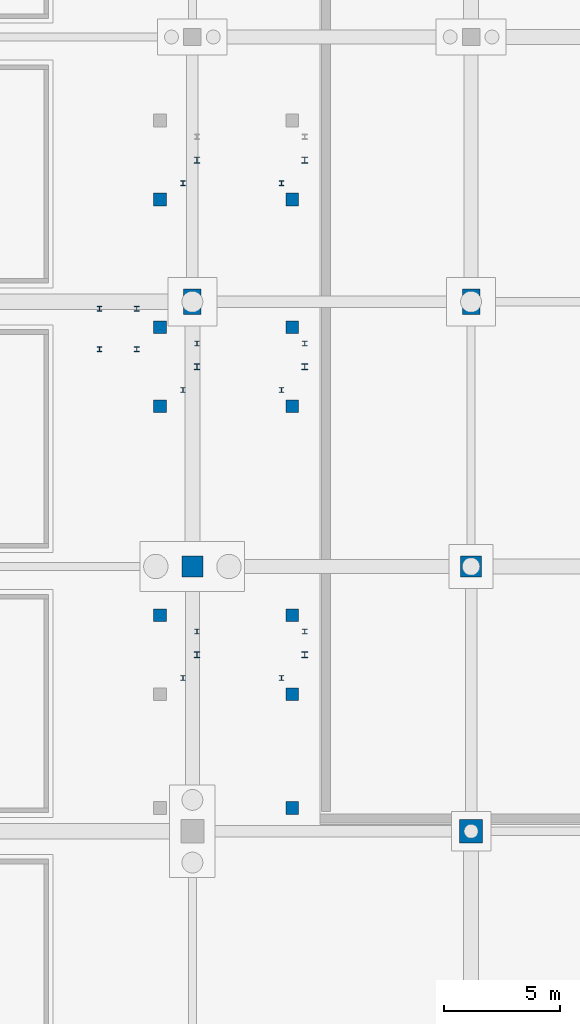
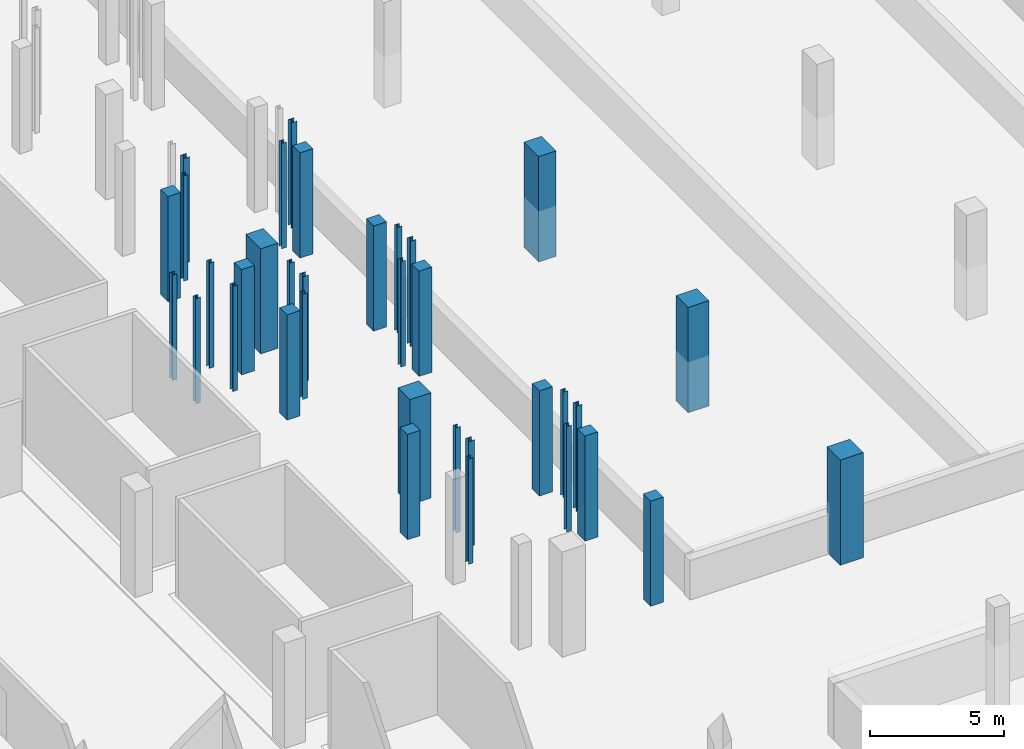
# One storey, part 15 of 34: 35 columns.
"""IFC4 building model written with IfcOpenShell, lengths in metres."""

from ifc_helpers import new_model, si_unit, direction, frame, origin, origin_2d, place, context, subcontext, project, spatial, rectangle, i_section, extrude, material, material_profile, profile_set, type_object, element, save


model = new_model("IFC4")

# Units and contexts
model_context = context("Model", 3, precision=1e-05, world=origin(), true_north=direction((0.0, 1.0)))
body_context = subcontext(model_context, "Body", "Model", "MODEL_VIEW")
ifc_project = project(units=[si_unit("LENGTHUNIT", "METRE"), si_unit("AREAUNIT", "SQUARE_METRE"), si_unit("VOLUMEUNIT", "CUBIC_METRE"), si_unit("PLANEANGLEUNIT", "RADIAN"), si_unit("MASSUNIT", "GRAM", prefix="KILO"), si_unit("POWERUNIT", "WATT"), si_unit("THERMODYNAMICTEMPERATUREUNIT", "KELVIN")], contexts=[model_context])

# Site, building, storey
site_placement = place(None, origin())
site = spatial("IfcSite", under=ifc_project, at=site_placement, CompositionType="ELEMENT")
building_placement = place(site_placement, origin())
building = spatial("IfcBuilding", under=site, at=building_placement, Name="Kelmbourne Parkland Aquatics Centre", CompositionType="ELEMENT")
storey_placement = place(building_placement, frame((0.0, 0.0, -4.800048828125)))
storey = spatial("IfcBuildingStorey", under=building, at=storey_placement, Name="B1", CompositionType="ELEMENT", Elevation=-4.800048828125)

# Columns
ifc_material_1 = material(Name="Concrete C40/50", Category="concrete")
ifc_material_profile_1 = material_profile(ifc_material_1, rectangle(XDim=1.0, YDim=1.0, at=origin_2d()), Name="RC 1000x1000")
ifc_profile_set_1 = profile_set([ifc_material_profile_1], Name="Concrete C40/50")
column_type_1 = type_object("IfcColumnType", Name="COL-C01", PredefinedType="COLUMN", material=ifc_profile_set_1)
column_placement = place(storey_placement, frame((152.0, 35.0, 0.0), z_axis=(0.0, 0.0, 1.0), x_axis=(1.0, 0.0, 0.0)))
element("IfcColumn", 1, at=column_placement, inside=storey, type_object=column_type_1, Name="Structural column R-05 (B1)", PredefinedType="COLUMN", context=body_context, shape_type="SweptSolid", body=[
    extrude(rectangle(XDim=1.0, YDim=1.0, at=origin_2d()), origin(), (0.0, 0.0, 1.0), 4.800048828125),
])
ifc_material_profile_2 = material_profile(ifc_material_1, rectangle(XDim=0.89990234375, YDim=0.89990234375, at=origin_2d()), Name="RC 900x900")
ifc_profile_set_2 = profile_set([ifc_material_profile_2], Name="Concrete C40/50")
column_type_2 = type_object("IfcColumnType", Name="COL-C02", PredefinedType="COLUMN", material=ifc_profile_set_2)
for number, where, z_axis, x_axis, name in (
    (2, (140.0, 46.39990234375, 0.0), (0.0, 0.0, 1.0), (1.0, 0.0, 0.0), "Structural column Q-06 (B1)"),
    (3, (152.0, 46.39990234375, 0.0), (0.0, 0.0, 1.0), (1.0, 0.0, 0.0), "Structural column R-06 (B1)"),
):
    element("IfcColumn", number, at=place(storey_placement, frame(where, z_axis=z_axis, x_axis=x_axis)), inside=storey, type_object=column_type_2, Name=name, PredefinedType="COLUMN", context=body_context, shape_type="SweptSolid", body=[
        extrude(rectangle(XDim=0.89990234375, YDim=0.89990234375, at=origin_2d()), origin(), (0.0, 0.0, 1.0), 4.800048828125),
    ])
ifc_material_profile_3 = material_profile(ifc_material_1, rectangle(XDim=0.75, YDim=1.10009765625, at=origin_2d()), Name="RC 750x1100")
ifc_profile_set_3 = profile_set([ifc_material_profile_3], Name="Concrete C40/50")
column_type_3 = type_object("IfcColumnType", Name="COL-C03", PredefinedType="COLUMN", material=ifc_profile_set_3)
for number, where, z_axis, x_axis, name in (
    (4, (140.0, 57.800048828125, 0.0), (0.0, 0.0, 1.0), (1.0, 0.0, 0.0), "Structural column Q-08 (B1)"),
    (5, (152.0, 57.800048828125, 0.0), (0.0, 0.0, 1.0), (1.0, 0.0, 0.0), "Structural column R-08 (B1)"),
):
    element("IfcColumn", number, at=place(storey_placement, frame(where, z_axis=z_axis, x_axis=x_axis)), inside=storey, type_object=column_type_3, Name=name, PredefinedType="COLUMN", context=body_context, shape_type="SweptSolid", body=[
        extrude(rectangle(XDim=0.75, YDim=1.10009765625, at=origin_2d()), origin(), (0.0, 0.0, 1.0), 4.800048828125),
    ])
ifc_material_profile_4 = material_profile(ifc_material_1, rectangle(XDim=0.550048828125, YDim=0.550048828125, at=origin_2d()), Name="RC 550x550")
ifc_profile_set_4 = profile_set([ifc_material_profile_4], Name="Concrete C40/50")
column_type_4 = type_object("IfcColumnType", Name="COL-C07", PredefinedType="COLUMN", material=ifc_profile_set_4)
for number, where, z_axis, x_axis, name in (
    (6, (144.300048828125, 36.0, 0.0), (0.0, 0.0, 1.0), (1.0, 0.0, 0.0), "Bowl FRT basement pier 1"),
    (7, (144.300048828125, 40.89990234375, 0.0), (0.0, 0.0, 1.0), (1.0, 0.0, 0.0), "Bowl FRT basement pier 2"),
    (8, (144.300048828125, 44.300048828125, 0.0), (0.0, 0.0, 1.0), (1.0, 0.0, 0.0), "Bowl FRT basement pier 3"),
    (9, (138.60009765625, 44.300048828125, 0.0), (0.0, 0.0, 1.0), (1.0, 0.0, 0.0), "Bowl RER basement pier 3"),
    (10, (144.300048828125, 53.300048828125, 0.0), (0.0, 0.0, 1.0), (1.0, 0.0, 0.0), "Bowl FRT basement pier 4"),
    (11, (138.60009765625, 53.300048828125, 0.0), (0.0, 0.0, 1.0), (1.0, 0.0, 0.0), "Bowl RER basement pier 4"),
    (12, (144.300048828125, 56.699951171875, 0.0), (0.0, 0.0, 1.0), (1.0, 0.0, 0.0), "Bowl FRT basement pier 5"),
    (13, (138.60009765625, 56.699951171875, 0.0), (0.0, 0.0, 1.0), (1.0, 0.0, 0.0), "Bowl RER basement pier 5"),
    (14, (144.300048828125, 62.199951171875, 0.0), (0.0, 0.0, 1.0), (1.0, 0.0, 0.0), "Bowl FRT basement pier 6"),
    (15, (138.60009765625, 62.199951171875, 0.0), (0.0, 0.0, 1.0), (1.0, 0.0, 0.0), "Bowl RER basement pier 6"),
):
    element("IfcColumn", number, at=place(storey_placement, frame(where, z_axis=z_axis, x_axis=x_axis)), inside=storey, type_object=column_type_4, Name=name, PredefinedType="COLUMN", context=body_context, shape_type="SweptSolid", body=[
        extrude(rectangle(XDim=0.550048828125, YDim=0.550048828125, at=origin_2d()), origin(), (0.0, 0.0, 1.0), 4.800048828125),
    ])
ifc_material_2 = material(Name="Structural steel AS/NZS 3679.1 Grade 300", Category="steel")
ifc_material_profile_5 = material_profile(ifc_material_2, i_section(OverallWidth=0.25390625, OverallDepth=0.25390625, WebThickness=0.008544921875, FlangeThickness=0.01416015625, at=origin_2d()), Name="250UC72.9")
ifc_profile_set_5 = profile_set([ifc_material_profile_5], Name="Structural steel AS/NZS 3679.1 Grade 300")
column_type_5 = type_object("IfcColumnType", Name="COL-C18", PredefinedType="COLUMN", material=ifc_profile_set_5)
for number, where, z_axis, x_axis, name in (
    (16, (144.840087890625, 42.60009765625, 0.0), (0.0, 0.0, 1.0), (1.0, 0.0, 0.0), "VM01 BOT1 B1 pier"),
    (17, (140.199951171875, 42.60009765625, 0.0), (0.0, 0.0, 1.0), (1.0, 0.0, 0.0), "VM01 TOP1 B1 pier"),
    (18, (144.840087890625, 55.0, 0.0), (0.0, 0.0, 1.0), (1.0, 0.0, 0.0), "VM02 BOT1 B1 pier"),
    (19, (140.199951171875, 55.0, 0.0), (0.0, 0.0, 1.0), (1.0, 0.0, 0.0), "VM02 TOP1 B1 pier"),
    (20, (144.840087890625, 63.89990234375, 0.0), (0.0, 0.0, 1.0), (1.0, 0.0, 0.0), "VM03 BOT1 B1 pier"),
    (21, (140.199951171875, 63.89990234375, 0.0), (0.0, 0.0, 1.0), (1.0, 0.0, 0.0), "VM03 TOP1 B1 pier"),
):
    element("IfcColumn", number, at=place(storey_placement, frame(where, z_axis=z_axis, x_axis=x_axis)), inside=storey, type_object=column_type_5, Name=name, PredefinedType="COLUMN", context=body_context, shape_type="SweptSolid", body=[
        extrude(i_section(OverallWidth=0.25390625, OverallDepth=0.25390625, WebThickness=0.008544921875, FlangeThickness=0.01416015625, at=origin_2d()), origin(), (0.0, 0.0, 1.0), 4.800048828125),
    ])
ifc_material_profile_6 = material_profile(ifc_material_2, i_section(OverallWidth=0.205078125, OverallDepth=0.2099609375, WebThickness=0.00927734375, FlangeThickness=0.01416015625, at=origin_2d()), Name="200UC59.5")
ifc_profile_set_6 = profile_set([ifc_material_profile_6], Name="Structural steel AS/NZS 3679.1 Grade 300")
column_type_6 = type_object("IfcColumnType", Name="COL-C19", PredefinedType="COLUMN", material=ifc_profile_set_6)
for number, where, z_axis, x_axis, name in (
    (22, (136.0, 55.75, 0.0), (0.0, 0.0, 1.0), (1.0, 0.0, 0.0), "FS02 B1 post 1"),
    (23, (137.60009765625, 55.75, 0.0), (0.0, 0.0, 1.0), (1.0, 0.0, 0.0), "FS02 B1 post 2"),
    (24, (136.0, 57.5, 0.0), (0.0, 0.0, 1.0), (1.0, 0.0, 0.0), "FS02 B1 post 3"),
    (25, (137.60009765625, 57.5, 0.0), (0.0, 0.0, 1.0), (1.0, 0.0, 0.0), "FS02 B1 post 4"),
    (26, (144.840087890625, 43.60009765625, 0.0), (0.0, 0.0, 1.0), (1.0, 0.0, 0.0), "VM01 BOT2 B1 pier"),
    (27, (143.840087890625, 41.60009765625, 0.0), (0.0, 0.0, 1.0), (1.0, 0.0, 0.0), "VM01 BOT3 B1 pier"),
    (28, (140.199951171875, 43.60009765625, 0.0), (0.0, 0.0, 1.0), (1.0, 0.0, 0.0), "VM01 TOP2 B1 pier"),
    (29, (139.60009765625, 41.60009765625, 0.0), (0.0, 0.0, 1.0), (1.0, 0.0, 0.0), "VM01 TOP3 B1 pier"),
    (30, (144.840087890625, 56.0, 0.0), (0.0, 0.0, 1.0), (1.0, 0.0, 0.0), "VM02 BOT2 B1 pier"),
    (31, (143.840087890625, 54.0, 0.0), (0.0, 0.0, 1.0), (1.0, 0.0, 0.0), "VM02 BOT3 B1 pier"),
    (32, (140.199951171875, 56.0, 0.0), (0.0, 0.0, 1.0), (1.0, 0.0, 0.0), "VM02 TOP2 B1 pier"),
    (33, (139.60009765625, 54.0, 0.0), (0.0, 0.0, 1.0), (1.0, 0.0, 0.0), "VM02 TOP3 B1 pier"),
    (34, (143.840087890625, 62.89990234375, 0.0), (0.0, 0.0, 1.0), (1.0, 0.0, 0.0), "VM03 BOT3 B1 pier"),
    (35, (139.60009765625, 62.89990234375, 0.0), (0.0, 0.0, 1.0), (1.0, 0.0, 0.0), "VM03 TOP3 B1 pier"),
):
    element("IfcColumn", number, at=place(storey_placement, frame(where, z_axis=z_axis, x_axis=x_axis)), inside=storey, type_object=column_type_6, Name=name, PredefinedType="COLUMN", context=body_context, shape_type="SweptSolid", body=[
        extrude(i_section(OverallWidth=0.205078125, OverallDepth=0.2099609375, WebThickness=0.00927734375, FlangeThickness=0.01416015625, at=origin_2d()), origin(), (0.0, 0.0, 1.0), 4.800048828125),
    ])

save(model, "model.ifc")
